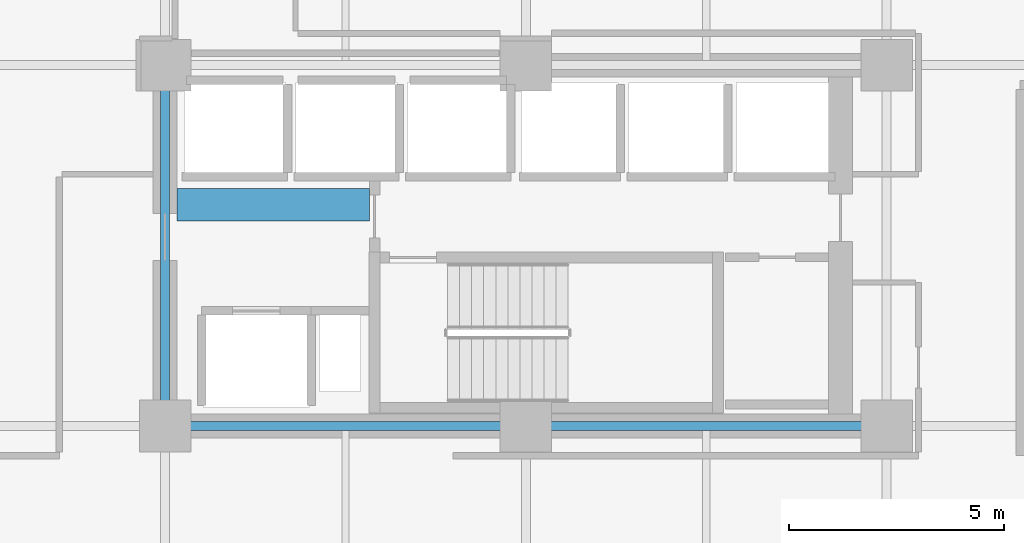
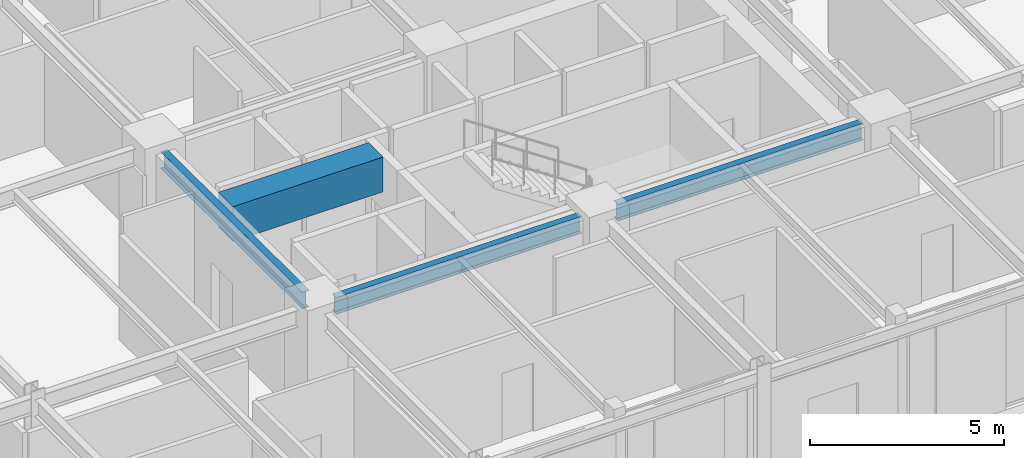
# One storey, part 10 of 38: 4 beams.
"""IFC4 building model written with IfcOpenShell, lengths in metres."""

from ifc_helpers import new_model, si_unit, direction, frame, origin, origin_2d, place, context, subcontext, project, spatial, rectangle, i_section, extrude, material, material_profile, profile_set, type_object, element, save


model = new_model("IFC4")

# Units and contexts
model_context = context("Model", 3, precision=1e-05, world=origin(), true_north=direction((0.0, 1.0)))
body_context = subcontext(model_context, "Body", "Model", "MODEL_VIEW")
ifc_project = project(units=[si_unit("LENGTHUNIT", "METRE"), si_unit("AREAUNIT", "SQUARE_METRE"), si_unit("VOLUMEUNIT", "CUBIC_METRE"), si_unit("PLANEANGLEUNIT", "RADIAN"), si_unit("MASSUNIT", "GRAM", prefix="KILO")], contexts=[model_context])

# Site, building, storey
site_placement = place(None, origin())
site = spatial("IfcSite", under=ifc_project, at=site_placement, CompositionType="ELEMENT")
building_placement = place(site_placement, origin())
building = spatial("IfcBuilding", under=site, at=building_placement, Name="Nerrivon Quay Data Exchange", CompositionType="ELEMENT")
storey_placement = place(building_placement, frame((0.0, 0.0, 84.39990234375)))
storey = spatial("IfcBuildingStorey", under=building, at=storey_placement, Name="L19", CompositionType="ELEMENT", Elevation=84.39990234375)

# Beams
ifc_material_1 = material(Name="Concrete S65 (65 MPa)", Category="concrete")
ifc_material_profile_1 = material_profile(ifc_material_1, rectangle(XDim=0.75, YDim=1.10009765625, at=origin_2d()), Name="RC-CB-750x1100")
ifc_profile_set_1 = profile_set([ifc_material_profile_1], Name="Concrete S65 (65 MPa)")
beam_type_1 = type_object("IfcBeamType", Name="BM-CB1-750x1100", PredefinedType="LINTEL", material=ifc_profile_set_1)
beam_1_placement = place(storey_placement, frame((17.074951171875, 13.550048828125, 3.275146484375), z_axis=(1.0, 0.0, 0.0), x_axis=(0.0, 1.0, 0.0)))
element("IfcBeam", 1, at=beam_1_placement, inside=storey, type_object=beam_type_1, Name="L19 East Core Coupling Beam", PredefinedType="LINTEL", context=body_context, shape_type="SweptSolid", body=[
    extrude(rectangle(XDim=0.75, YDim=1.10009765625, at=origin_2d()), origin(), (0.0, 0.0, 1.0), 4.47998046875),
])
ifc_material_2 = material(Name="Steel Grade 350", Category="steel")
ifc_material_profile_2 = material_profile(ifc_material_2, i_section(OverallWidth=0.208984375, OverallDepth=0.532958984375, WebThickness=0.01025390625, FlangeThickness=0.015625, FilletRadius=0.013916015625, at=origin_2d()), Name="530UB92.4")
ifc_profile_set_2 = profile_set([ifc_material_profile_2], Name="Steel Grade 350")
beam_type_2 = type_object("IfcBeamType", Name="BM-G3-530UB92", PredefinedType="BEAM", material=ifc_profile_set_2)
beam_2_placement = place(storey_placement, frame((17.340087890625, 8.39990234375, 3.55859375), z_axis=(1.0, 0.0, 0.0), x_axis=(0.0, 1.0, 0.0)))
element("IfcBeam", 2, at=beam_2_placement, inside=storey, type_object=beam_type_2, Name="L19 EW Girder Y=8.4 (16.8..25.2)", PredefinedType="BEAM", context=body_context, shape_type="SweptSolid", body=[
    extrude(i_section(OverallWidth=0.208984375, OverallDepth=0.532958984375, WebThickness=0.01025390625, FlangeThickness=0.015625, FilletRadius=0.013916015625, at=origin_2d()), origin(), (0.0, 0.0, 1.0), 7.31982421875),
])
beam_3_placement = place(storey_placement, frame((25.739990234375, 8.39990234375, 3.55859375), z_axis=(1.0, 0.0, 0.0), x_axis=(0.0, 1.0, 0.0)))
element("IfcBeam", 3, at=beam_3_placement, inside=storey, type_object=beam_type_2, Name="L19 EW Girder Y=8.4 (25.2..33.6)", PredefinedType="BEAM", context=body_context, shape_type="SweptSolid", body=[
    extrude(i_section(OverallWidth=0.208984375, OverallDepth=0.532958984375, WebThickness=0.01025390625, FlangeThickness=0.015625, FilletRadius=0.013916015625, at=origin_2d()), origin(), (0.0, 0.0, 1.0), 7.320068359375),
])
ifc_material_profile_3 = material_profile(ifc_material_2, i_section(OverallWidth=0.208984375, OverallDepth=0.528076171875, WebThickness=0.009521484375, FlangeThickness=0.01318359375, FilletRadius=0.013916015625, at=origin_2d()), Name="530UB82.0")
ifc_profile_set_3 = profile_set([ifc_material_profile_3], Name="Steel Grade 350")
beam_type_3 = type_object("IfcBeamType", Name="BM-G4-530UB82", PredefinedType="BEAM", material=ifc_profile_set_3)
beam_4_placement = place(storey_placement, frame((16.800048828125, 8.93994140625, 3.56103515625), z_axis=(0.0, 1.0, 0.0), x_axis=(-1.0, 0.0, 0.0)))
element("IfcBeam", 4, at=beam_4_placement, inside=storey, type_object=beam_type_3, Name="L19 NS Girder X=16.8 (8.4..16.8)", PredefinedType="BEAM", context=body_context, shape_type="SweptSolid", body=[
    extrude(i_section(OverallWidth=0.208984375, OverallDepth=0.528076171875, WebThickness=0.009521484375, FlangeThickness=0.01318359375, FilletRadius=0.013916015625, at=origin_2d()), origin(), (0.0, 0.0, 1.0), 7.320068359375),
])

save(model, "model.ifc")
